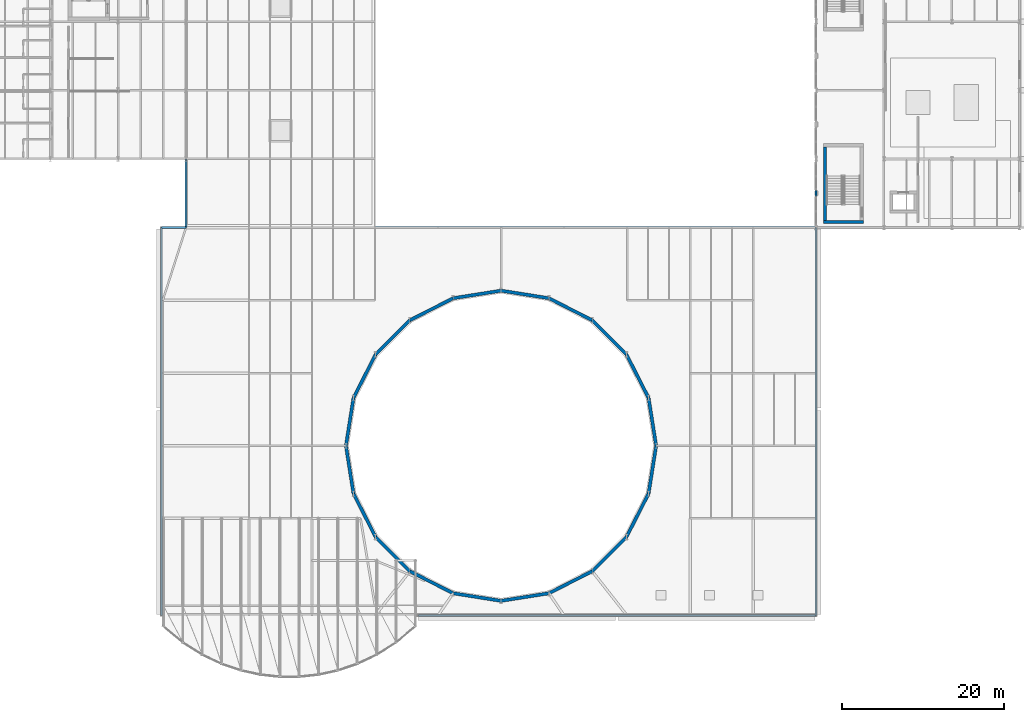
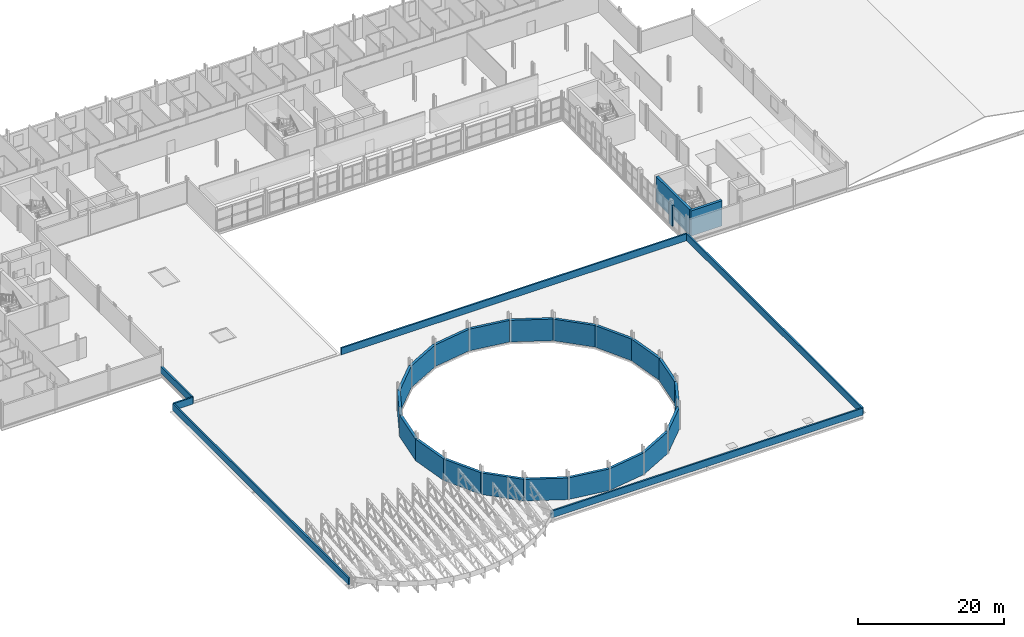
# One storey, part 39 of 58: 29 walls.
"""IFC4 building model written with IfcOpenShell, lengths in metres."""

from ifc_helpers import new_model, si_unit, direction, frame, frame_2d, origin, place, context, subcontext, project, spatial, rectangle, extrude, material, layer, layer_set, type_object, element, save


model = new_model("IFC4")

# Units and contexts
model_context = context("Model", 3, precision=1e-05, world=origin(), true_north=direction((0.0, 1.0)))
body_context = subcontext(model_context, "Body", "Model", "MODEL_VIEW")
ifc_project = project(units=[si_unit("LENGTHUNIT", "METRE"), si_unit("AREAUNIT", "SQUARE_METRE"), si_unit("VOLUMEUNIT", "CUBIC_METRE"), si_unit("PLANEANGLEUNIT", "RADIAN"), si_unit("MASSUNIT", "GRAM", prefix="KILO")], contexts=[model_context])

# Site, building, storey
site_placement = place(None, origin())
site = spatial("IfcSite", under=ifc_project, at=site_placement, CompositionType="ELEMENT")
building_placement = place(site_placement, origin())
building = spatial("IfcBuilding", under=site, at=building_placement, Name="Sefraquen Railside Congress Hotel", CompositionType="ELEMENT")
storey_placement = place(building_placement, frame((0.0, 0.0, 16.199951171875)))
storey = spatial("IfcBuildingStorey", under=building, at=storey_placement, Name="L03", CompositionType="ELEMENT", Elevation=16.199951171875)

# Walls
ifc_material_1 = material(Name="Concrete C50/60", Category="concrete")
ifc_layer_1 = layer(ifc_material_1, 0.39990234375)
ifc_layer_set_1 = layer_set([ifc_layer_1], Name="Concrete C50/60")
wall_type_1 = type_object("IfcWallType", Name="TW-CW-400", PredefinedType="SHEAR", material=ifc_layer_set_1)
wall_1_placement = place(storey_placement, frame((104.10009765625, 54.699951171875, 0.0), z_axis=(0.0, 0.0, 1.0), x_axis=(1.0, 0.0, 0.0)))
element("IfcWall", 1, at=wall_1_placement, inside=storey, type_object=wall_type_1, Name="Core shear wall ST-M02 S L03", PredefinedType="SHEAR", context=body_context, shape_type="SweptSolid", body=[
    extrude(rectangle(XDim=4.9599609375, YDim=0.39990234375, at=frame_2d((2.47998046875, 0.0))), origin(), (0.0, 0.0, 1.0), 4.199951171875),
])
wall_2_placement = place(storey_placement, frame((104.300048828125, 54.89990234375, 0.0), z_axis=(0.0, 0.0, 1.0), x_axis=(0.0, 1.0, 0.0)))
element("IfcWall", 2, at=wall_2_placement, inside=storey, type_object=wall_type_1, Name="Core shear wall ST-M02 W L03", PredefinedType="SHEAR", context=body_context, shape_type="SweptSolid", body=[
    extrude(rectangle(XDim=9.112060546875, YDim=0.39990234375, at=frame_2d((4.55615234375, 0.0))), origin(), (0.0, 0.0, 1.0), 4.199951171875),
])
for number, where, z_axis, x_axis, name in (
    (3, (83.39990234375, 27.0, 0.0), (0.0, 0.0, 1.0), (-0.156432138959, 0.987688709007, 0.0), "Congress Dome cylindrical drum wall 01"),
    (4, (82.460205078125, 32.93310546875, 0.0), (0.0, 0.0, 1.0), (-0.453979967137, 0.891011890739, 0.0), "Congress Dome cylindrical drum wall 02"),
    (5, (79.733154296875, 38.285400390625, 0.0), (0.0, 0.0, 1.0), (-0.707086459982, 0.707127101807, 0.0), "Congress Dome cylindrical drum wall 03"),
):
    element("IfcWall", number, at=place(storey_placement, frame(where, z_axis=z_axis, x_axis=x_axis)), inside=storey, type_object=wall_type_1, Name=name, PredefinedType="SHEAR", context=body_context, shape_type="SweptSolid", body=[
        extrude(rectangle(XDim=6.007080078125, YDim=0.39990234375, at=frame_2d((3.00341796875, 0.0))), origin(), (0.0, 0.0, 1.0), 3.60009765625),
    ])
wall_3_placement = place(storey_placement, frame((75.485595703125, 42.533203125, 0.0), z_axis=(0.0, 0.0, 1.0), x_axis=(-0.891020266674, 0.453963527584, 0.0)))
element("IfcWall", 6, at=wall_3_placement, inside=storey, type_object=wall_type_1, Name="Congress Dome cylindrical drum wall 04", PredefinedType="SHEAR", context=body_context, shape_type="SweptSolid", body=[
    extrude(rectangle(XDim=6.00732421875, YDim=0.39990234375, at=frame_2d((3.003662109375, 0.0))), origin(), (0.0, 0.0, 1.0), 3.60009765625),
])
for number, where, z_axis, x_axis, name in (
    (7, (70.133056640625, 45.26025390625, 0.0), (0.0, 0.0, 1.0), (-0.987688709007, 0.156432138959, 0.0), "Congress Dome cylindrical drum wall 05"),
    (8, (64.199951171875, 46.199951171875, 0.0), (0.0, 0.0, 1.0), (-0.987688709007, -0.156432138959, 0.0), "Congress Dome cylindrical drum wall 06"),
    (9, (58.266845703125, 45.26025390625, 0.0), (0.0, 0.0, 1.0), (-0.891011890739, -0.453979967137, 0.0), "Congress Dome cylindrical drum wall 07"),
    (10, (52.91455078125, 42.533203125, 0.0), (0.0, 0.0, 1.0), (-0.707086459982, -0.707127101807, 0.0), "Congress Dome cylindrical drum wall 08"),
    (11, (48.6669921875, 38.285400390625, 0.0), (0.0, 0.0, 1.0), (-0.454012232645, -0.890995450386, 0.0), "Congress Dome cylindrical drum wall 09"),
    (12, (45.939697265625, 32.93310546875, 0.0), (0.0, 0.0, 1.0), (-0.156432138959, -0.987688709007, 0.0), "Congress Dome cylindrical drum wall 10"),
    (13, (45.0, 27.0, 0.0), (0.0, 0.0, 1.0), (0.156432138959, -0.987688709007, 0.0), "Congress Dome cylindrical drum wall 11"),
    (14, (45.939697265625, 21.06689453125, 0.0), (0.0, 0.0, 1.0), (0.454012232645, -0.890995450386, 0.0), "Congress Dome cylindrical drum wall 12"),
    (15, (48.6669921875, 15.714599609375, 0.0), (0.0, 0.0, 1.0), (0.707086459982, -0.707127101807, 0.0), "Congress Dome cylindrical drum wall 13"),
    (16, (52.91455078125, 11.466796875, 0.0), (0.0, 0.0, 1.0), (0.891011890739, -0.453979967137, 0.0), "Congress Dome cylindrical drum wall 14"),
    (17, (58.266845703125, 8.73974609375, 0.0), (0.0, 0.0, 1.0), (0.987688709007, -0.156432138959, 0.0), "Congress Dome cylindrical drum wall 15"),
    (18, (64.199951171875, 7.800048828125, 0.0), (0.0, 0.0, 1.0), (0.987688709007, 0.156432138959, 0.0), "Congress Dome cylindrical drum wall 16"),
):
    element("IfcWall", number, at=place(storey_placement, frame(where, z_axis=z_axis, x_axis=x_axis)), inside=storey, type_object=wall_type_1, Name=name, PredefinedType="SHEAR", context=body_context, shape_type="SweptSolid", body=[
        extrude(rectangle(XDim=6.007080078125, YDim=0.39990234375, at=frame_2d((3.00341796875, 0.0))), origin(), (0.0, 0.0, 1.0), 3.60009765625),
    ])
wall_4_placement = place(storey_placement, frame((70.133056640625, 8.73974609375, 0.0), z_axis=(0.0, 0.0, 1.0), x_axis=(0.891020266674, 0.453963527584, 0.0)))
element("IfcWall", 19, at=wall_4_placement, inside=storey, type_object=wall_type_1, Name="Congress Dome cylindrical drum wall 17", PredefinedType="SHEAR", context=body_context, shape_type="SweptSolid", body=[
    extrude(rectangle(XDim=6.00732421875, YDim=0.39990234375, at=frame_2d((3.003662109375, 0.0))), origin(), (0.0, 0.0, 1.0), 3.60009765625),
])
for number, where, z_axis, x_axis, name in (
    (20, (75.485595703125, 11.466796875, 0.0), (0.0, 0.0, 1.0), (0.707086459982, 0.707127101807, 0.0), "Congress Dome cylindrical drum wall 18"),
    (21, (79.733154296875, 15.714599609375, 0.0), (0.0, 0.0, 1.0), (0.453979967137, 0.891011890739, 0.0), "Congress Dome cylindrical drum wall 19"),
    (22, (82.460205078125, 21.06689453125, 0.0), (0.0, 0.0, 1.0), (0.156432138959, 0.987688709007, 0.0), "Congress Dome cylindrical drum wall 20"),
):
    element("IfcWall", number, at=place(storey_placement, frame(where, z_axis=z_axis, x_axis=x_axis)), inside=storey, type_object=wall_type_1, Name=name, PredefinedType="SHEAR", context=body_context, shape_type="SweptSolid", body=[
        extrude(rectangle(XDim=6.007080078125, YDim=0.39990234375, at=frame_2d((3.00341796875, 0.0))), origin(), (0.0, 0.0, 1.0), 3.60009765625),
    ])
ifc_material_2 = material(Name="Ochre Rabat calcarenite limestone and Concrete C40/50 backing", Category="masonry")
ifc_layer_2 = layer(ifc_material_2, 0.280029296875)
ifc_layer_set_2 = layer_set([ifc_layer_2], Name="Ochre Rabat calcarenite limestone and Concrete C40/50 backing")
wall_type_2 = type_object("IfcWallType", Name="TW-EW-280", PredefinedType="STANDARD", material=ifc_layer_set_2)
wall_5_placement = place(storey_placement, frame((103.199951171875, 57.77001953125, 0.0), z_axis=(0.0, 0.0, 1.0), x_axis=(0.0, 1.0, 0.0)))
element("IfcWall", 23, at=wall_5_placement, inside=storey, type_object=wall_type_2, Name="Meeting Wing L03 courtyard east curtain wall column pier closure 1", PredefinedType="STANDARD", context=body_context, shape_type="SweptSolid", body=[
    extrude(rectangle(XDim=0.9599609375, YDim=0.260009765625, at=frame_2d((0.47998046875, 0.0))), origin(), (0.0, 0.0, 1.0), 3.510009765625),
])
ifc_material_3 = material(Name="Precast concrete C40/50", Category="concrete")
ifc_layer_3 = layer(ifc_material_3, 0.25)
ifc_layer_set_3 = layer_set([ifc_layer_3], Name="Precast concrete C40/50")
wall_type_3 = type_object("IfcWallType", Name="TW-PA-250", PredefinedType="PARAPET", material=ifc_layer_set_3)
wall_6_placement = place(storey_placement, frame((54.0, 5.978515625, 0.0), z_axis=(0.0, 0.0, 1.0), x_axis=(1.0, 0.0, 0.0)))
element("IfcWall", 24, at=wall_6_placement, inside=storey, type_object=wall_type_3, Name="Podium L03 roof parapet 01", PredefinedType="PARAPET", context=body_context, shape_type="SweptSolid", body=[
    extrude(rectangle(XDim=49.199951171875, YDim=0.25, at=frame_2d((24.60009765625, 0.0))), origin(), (0.0, 0.0, 1.0), 1.150146484375),
])
wall_7_placement = place(storey_placement, frame((103.199951171875, 5.978515625, 0.0), z_axis=(0.0, 0.0, 1.0), x_axis=(0.0, 1.0, 0.0)))
element("IfcWall", 25, at=wall_7_placement, inside=storey, type_object=wall_type_3, Name="Podium L03 roof parapet 02", PredefinedType="PARAPET", context=body_context, shape_type="SweptSolid", body=[
    extrude(rectangle(XDim=48.021484375, YDim=0.25, at=frame_2d((24.0107421875, 0.0))), origin(), (0.0, 0.0, 1.0), 1.150146484375),
])
wall_8_placement = place(storey_placement, frame((103.199951171875, 54.0, 0.0), z_axis=(0.0, 0.0, 1.0), x_axis=(-1.0, 0.0, 0.0)))
element("IfcWall", 26, at=wall_8_placement, inside=storey, type_object=wall_type_3, Name="Podium L03 roof parapet 03", PredefinedType="PARAPET", context=body_context, shape_type="SweptSolid", body=[
    extrude(rectangle(XDim=54.599853515625, YDim=0.25, at=frame_2d((27.2998046875, 0.0))), origin(), (0.0, 0.0, 1.0), 1.150146484375),
])
wall_9_placement = place(storey_placement, frame((25.199951171875, 54.0, 0.0), z_axis=(0.0, 0.0, 1.0), x_axis=(-1.0, 0.0, 0.0)))
element("IfcWall", 27, at=wall_9_placement, inside=storey, type_object=wall_type_3, Name="Podium L03 roof parapet 04", PredefinedType="PARAPET", context=body_context, shape_type="SweptSolid", body=[
    extrude(rectangle(XDim=3.021240234375, YDim=0.25, at=frame_2d((1.5107421875, 0.0))), origin(), (0.0, 0.0, 1.0), 1.150146484375),
])
wall_10_placement = place(storey_placement, frame((22.1787109375, 54.0, 0.0), z_axis=(0.0, 0.0, 1.0), x_axis=(0.0, -1.0, 0.0)))
element("IfcWall", 28, at=wall_10_placement, inside=storey, type_object=wall_type_3, Name="Podium L03 roof parapet 05", PredefinedType="PARAPET", context=body_context, shape_type="SweptSolid", body=[
    extrude(rectangle(XDim=48.021484375, YDim=0.25, at=frame_2d((24.0107421875, 0.0))), origin(), (0.0, 0.0, 1.0), 1.150146484375),
])
wall_11_placement = place(storey_placement, frame((25.199951171875, 54.0, 0.0), z_axis=(0.0, 0.0, 1.0), x_axis=(0.0, 1.0, 0.0)))
element("IfcWall", 29, at=wall_11_placement, inside=storey, type_object=wall_type_3, Name="Podium L03 roof parapet 06", PredefinedType="PARAPET", context=body_context, shape_type="SweptSolid", body=[
    extrude(rectangle(XDim=8.5, YDim=0.25, at=frame_2d((4.25, 0.0))), origin(), (0.0, 0.0, 1.0), 1.150146484375),
])

save(model, "model.ifc")
